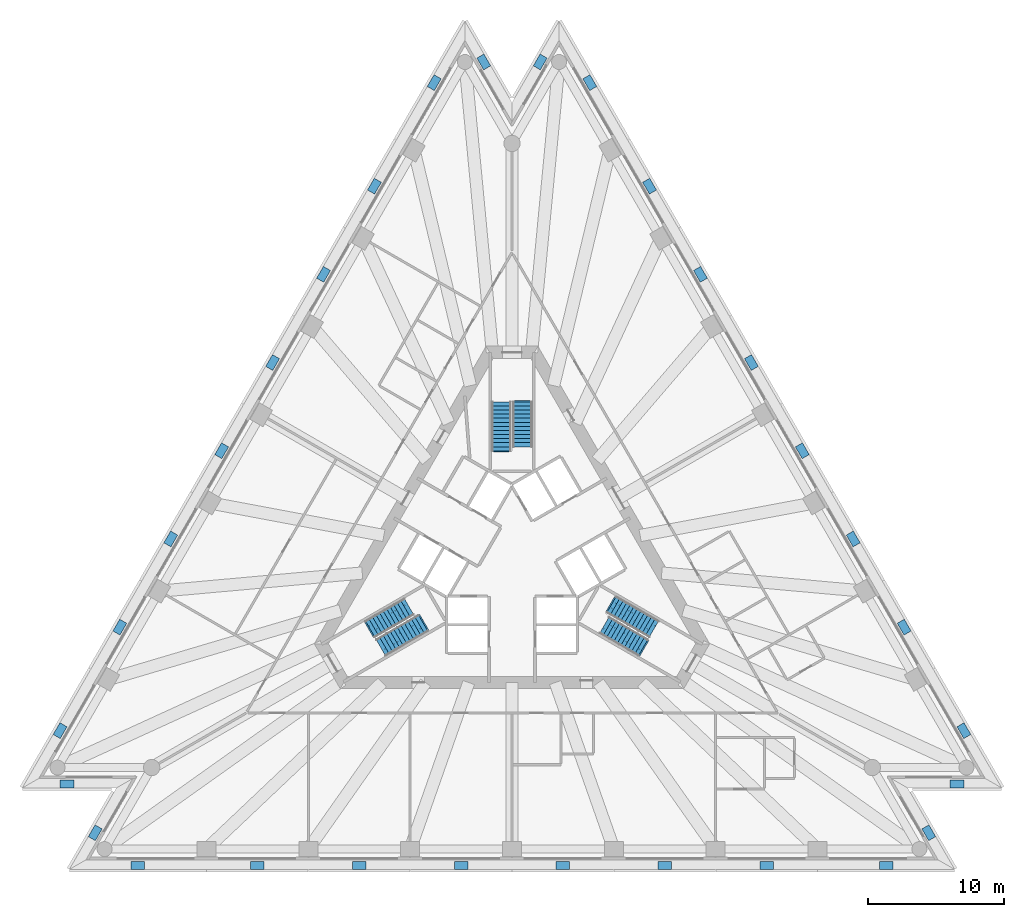
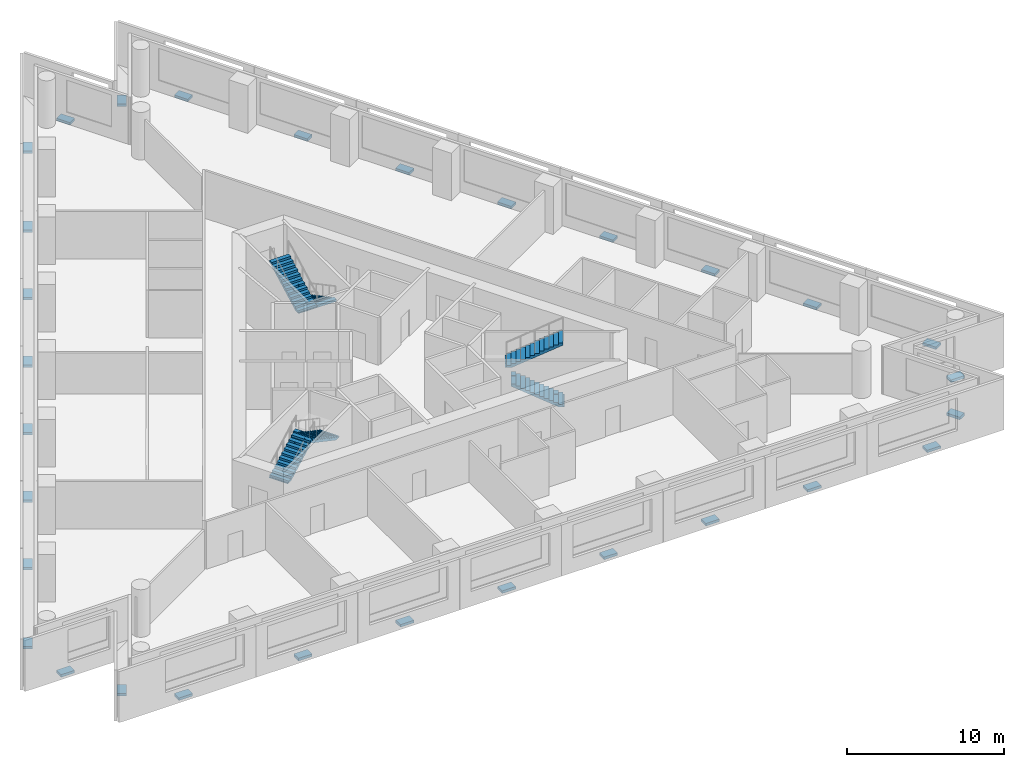
# One storey, part 7 of 9: 30 discrete accessories, 6 stair flights, 3 elements without a shape of their own.
"""IFC4 building model written with IfcOpenShell, lengths in metres."""

from ifc_helpers import new_model, si_unit, direction, frame, origin, origin_2d, place, context, subcontext, project, spatial, polyline, rectangle, outline, extrude, material, type_object, element, aggregate, save


model = new_model("IFC4")

# Units and contexts
model_context = context("Model", 3, precision=1e-05, world=origin(), true_north=direction((0.0, 1.0)))
body_context = subcontext(model_context, "Body", "Model", "MODEL_VIEW")
ifc_project = project(units=[si_unit("LENGTHUNIT", "METRE"), si_unit("AREAUNIT", "SQUARE_METRE"), si_unit("VOLUMEUNIT", "CUBIC_METRE"), si_unit("PLANEANGLEUNIT", "RADIAN"), si_unit("MASSUNIT", "GRAM", prefix="KILO")], contexts=[model_context])

# Site, building, storey
site_placement = place(None, origin())
site = spatial("IfcSite", under=ifc_project, at=site_placement, CompositionType="ELEMENT")
building_placement = place(site_placement, origin())
building = spatial("IfcBuilding", under=site, at=building_placement, Name="Triada Interchange Tower", CompositionType="ELEMENT")
storey_placement = place(building_placement, frame((0.0, 0.0, 55.300048828125)))
storey = spatial("IfcBuildingStorey", under=building, at=storey_placement, Name="L11", CompositionType="ELEMENT", Elevation=55.300048828125)

# Stair, stair flights
ifc_material_1 = material(Name="Concrete C35/45", Category="concrete")
stair_type = type_object("IfcStairType", Name="HALF TURN STAIR 1400", PredefinedType="HALF_TURN_STAIR", material=ifc_material_1)
stair_1_placement = place(storey_placement, origin())
stair_1 = element("IfcStair", 1, at=stair_1_placement, inside=storey, type_object=stair_type, Name="Exit stair S09-1", PredefinedType="HALF_TURN_STAIR")
stair_flight_type = type_object("IfcStairFlightType", Name="STRAIGHT STAIR FLIGHT 1400", PredefinedType="STRAIGHT", material=ifc_material_1)
stair_flight_1_placement = place(storey_placement, frame((0.800048828125, 11.60009765625, 0.0), z_axis=(0.0, 0.0, 1.0), x_axis=(0.0, -1.0, 0.0)))
stair_flight_1 = element("IfcStairFlight", 2, at=stair_flight_1_placement, type_object=stair_flight_type, Name="S09-1 flight 1", NumberOfRisers=12, NumberOfTreads=11, PredefinedType="STRAIGHT", RiserHeight=0.16, TreadLength=0.3, context=body_context, shape_type="SweptSolid", body=[
    extrude(outline(polyline([(-0.10009765625, 0.0), (-0.10009765625, 0.02001953125), (0.0, 0.02001953125), (0.0, 0.159912109375), (0.300048828125, 0.159912109375), (0.300048828125, 0.320068359375), (0.60009765625, 0.320068359375), (0.60009765625, 0.47998046875), (0.89990234375, 0.47998046875), (0.89990234375, 0.639892578125), (1.199951171875, 0.639892578125), (1.199951171875, 0.800048828125), (1.5, 0.800048828125), (1.5, 0.9599609375), (1.800048828125, 0.9599609375), (1.800048828125, 1.1201171875), (2.10009765625, 1.1201171875), (2.10009765625, 1.280029296875), (2.39990234375, 1.280029296875), (2.39990234375, 1.43994140625), (2.699951171875, 1.43994140625), (2.699951171875, 1.60009765625), (3.0, 1.60009765625), (3.0, 1.760009765625), (3.300048828125, 1.760009765625), (3.303955078125, 1.760009765625), (3.303955078125, 1.919921875), (3.303955078125, 1.590087890625), (0.318603515625, 0.0), (-0.10009765625, 0.0)])), frame((0.0, 0.699951171875, 0.0), z_axis=(0.0, -1.0, 0.0), x_axis=(1.0, 0.0, 0.0)), (0.0, 0.0, 1.0), 0.46533203125),
    extrude(outline(polyline([(-0.10009765625, 0.0), (-0.10009765625, 0.02001953125), (0.0, 0.02001953125), (0.0, 0.159912109375), (0.300048828125, 0.159912109375), (0.300048828125, 0.320068359375), (0.60009765625, 0.320068359375), (0.60009765625, 0.47998046875), (0.89990234375, 0.47998046875), (0.89990234375, 0.639892578125), (1.199951171875, 0.639892578125), (1.199951171875, 0.800048828125), (1.5, 0.800048828125), (1.5, 0.9599609375), (1.800048828125, 0.9599609375), (1.800048828125, 1.1201171875), (2.10009765625, 1.1201171875), (2.10009765625, 1.280029296875), (2.39990234375, 1.280029296875), (2.39990234375, 1.43994140625), (2.699951171875, 1.43994140625), (2.699951171875, 1.60009765625), (3.0, 1.60009765625), (3.0, 1.760009765625), (3.300048828125, 1.760009765625), (3.303955078125, 1.760009765625), (3.303955078125, 1.919921875), (3.303955078125, 1.590087890625), (0.318603515625, 0.0), (-0.10009765625, 0.0)])), frame((0.0, 0.232666015625, 0.0), z_axis=(0.0, -1.0, 0.0), x_axis=(1.0, 0.0, 0.0)), (0.0, 0.0, 1.0), 0.46533203125),
    extrude(outline(polyline([(-0.10009765625, 0.0), (-0.10009765625, 0.02001953125), (0.0, 0.02001953125), (0.0, 0.159912109375), (0.300048828125, 0.159912109375), (0.300048828125, 0.320068359375), (0.60009765625, 0.320068359375), (0.60009765625, 0.47998046875), (0.89990234375, 0.47998046875), (0.89990234375, 0.639892578125), (1.199951171875, 0.639892578125), (1.199951171875, 0.800048828125), (1.5, 0.800048828125), (1.5, 0.9599609375), (1.800048828125, 0.9599609375), (1.800048828125, 1.1201171875), (2.10009765625, 1.1201171875), (2.10009765625, 1.280029296875), (2.39990234375, 1.280029296875), (2.39990234375, 1.43994140625), (2.699951171875, 1.43994140625), (2.699951171875, 1.60009765625), (3.0, 1.60009765625), (3.0, 1.760009765625), (3.300048828125, 1.760009765625), (3.303955078125, 1.760009765625), (3.303955078125, 1.919921875), (3.303955078125, 1.590087890625), (0.318603515625, 0.0), (-0.10009765625, 0.0)])), frame((0.0, -0.234619140625, 0.0), z_axis=(0.0, -1.0, 0.0), x_axis=(1.0, 0.0, 0.0)), (0.0, 0.0, 1.0), 0.46533203125),
])
stair_flight_2_placement = place(storey_placement, frame((-0.800048828125, 8.0, 1.919921875), z_axis=(0.0, 0.0, 1.0), x_axis=(0.0, 1.0, 0.0)))
stair_flight_2 = element("IfcStairFlight", 3, at=stair_flight_2_placement, type_object=stair_flight_type, Name="S09-1 flight 2", NumberOfRisers=13, NumberOfTreads=12, PredefinedType="STRAIGHT", RiserHeight=0.16, TreadLength=0.3, context=body_context, shape_type="SweptSolid", body=[
    extrude(outline(polyline([(-0.10009765625, 0.0), (-0.10009765625, 0.02001953125), (0.0, 0.02001953125), (0.0, 0.159912109375), (0.300048828125, 0.159912109375), (0.300048828125, 0.320068359375), (0.60009765625, 0.320068359375), (0.60009765625, 0.47998046875), (0.89990234375, 0.47998046875), (0.89990234375, 0.639892578125), (1.199951171875, 0.639892578125), (1.199951171875, 0.800048828125), (1.5, 0.800048828125), (1.5, 0.9599609375), (1.800048828125, 0.9599609375), (1.800048828125, 1.1201171875), (2.10009765625, 1.1201171875), (2.10009765625, 1.280029296875), (2.39990234375, 1.280029296875), (2.39990234375, 1.43994140625), (2.699951171875, 1.43994140625), (2.699951171875, 1.60009765625), (3.0, 1.60009765625), (3.0, 1.760009765625), (3.300048828125, 1.760009765625), (3.300048828125, 1.919921875), (3.60009765625, 1.919921875), (3.60400390625, 1.919921875), (3.60400390625, 2.080078125), (3.60400390625, 1.75), (0.318603515625, 0.0), (-0.10009765625, 0.0)])), frame((0.0, 0.699951171875, 0.0), z_axis=(0.0, -1.0, 0.0), x_axis=(1.0, 0.0, 0.0)), (0.0, 0.0, 1.0), 0.46533203125),
    extrude(outline(polyline([(-0.10009765625, 0.0), (-0.10009765625, 0.02001953125), (0.0, 0.02001953125), (0.0, 0.159912109375), (0.300048828125, 0.159912109375), (0.300048828125, 0.320068359375), (0.60009765625, 0.320068359375), (0.60009765625, 0.47998046875), (0.89990234375, 0.47998046875), (0.89990234375, 0.639892578125), (1.199951171875, 0.639892578125), (1.199951171875, 0.800048828125), (1.5, 0.800048828125), (1.5, 0.9599609375), (1.800048828125, 0.9599609375), (1.800048828125, 1.1201171875), (2.10009765625, 1.1201171875), (2.10009765625, 1.280029296875), (2.39990234375, 1.280029296875), (2.39990234375, 1.43994140625), (2.699951171875, 1.43994140625), (2.699951171875, 1.60009765625), (3.0, 1.60009765625), (3.0, 1.760009765625), (3.300048828125, 1.760009765625), (3.300048828125, 1.919921875), (3.60009765625, 1.919921875), (3.60400390625, 1.919921875), (3.60400390625, 2.080078125), (3.60400390625, 1.75), (0.318603515625, 0.0), (-0.10009765625, 0.0)])), frame((0.0, 0.232666015625, 0.0), z_axis=(0.0, -1.0, 0.0), x_axis=(1.0, 0.0, 0.0)), (0.0, 0.0, 1.0), 0.46533203125),
    extrude(outline(polyline([(-0.10009765625, 0.0), (-0.10009765625, 0.02001953125), (0.0, 0.02001953125), (0.0, 0.159912109375), (0.300048828125, 0.159912109375), (0.300048828125, 0.320068359375), (0.60009765625, 0.320068359375), (0.60009765625, 0.47998046875), (0.89990234375, 0.47998046875), (0.89990234375, 0.639892578125), (1.199951171875, 0.639892578125), (1.199951171875, 0.800048828125), (1.5, 0.800048828125), (1.5, 0.9599609375), (1.800048828125, 0.9599609375), (1.800048828125, 1.1201171875), (2.10009765625, 1.1201171875), (2.10009765625, 1.280029296875), (2.39990234375, 1.280029296875), (2.39990234375, 1.43994140625), (2.699951171875, 1.43994140625), (2.699951171875, 1.60009765625), (3.0, 1.60009765625), (3.0, 1.760009765625), (3.300048828125, 1.760009765625), (3.300048828125, 1.919921875), (3.60009765625, 1.919921875), (3.60400390625, 1.919921875), (3.60400390625, 2.080078125), (3.60400390625, 1.75), (0.318603515625, 0.0), (-0.10009765625, 0.0)])), frame((0.0, -0.234619140625, 0.0), z_axis=(0.0, -1.0, 0.0), x_axis=(1.0, 0.0, 0.0)), (0.0, 0.0, 1.0), 0.46533203125),
])
aggregate(stair_1, [stair_flight_1, stair_flight_2])

stair_2_placement = place(storey_placement, origin())
stair_2 = element("IfcStair", 4, at=stair_2_placement, inside=storey, type_object=stair_type, Name="Exit stair S09-2", PredefinedType="HALF_TURN_STAIR")
stair_flight_3_placement = place(storey_placement, frame((-10.446044921875, -5.10693359375, 0.0), z_axis=(0.0, 0.0, 1.0), x_axis=(0.866025403784, 0.5, 0.0)))
stair_flight_3 = element("IfcStairFlight", 5, at=stair_flight_3_placement, type_object=stair_flight_type, Name="S09-2 flight 1", NumberOfRisers=12, NumberOfTreads=11, PredefinedType="STRAIGHT", RiserHeight=0.16, TreadLength=0.3, context=body_context, shape_type="SweptSolid", body=[
    extrude(outline(polyline([(-0.10009765625, 0.0), (-0.10009765625, 0.02001953125), (0.0, 0.02001953125), (0.0, 0.159912109375), (0.300048828125, 0.159912109375), (0.300048828125, 0.320068359375), (0.60009765625, 0.320068359375), (0.60009765625, 0.47998046875), (0.89990234375, 0.47998046875), (0.89990234375, 0.639892578125), (1.199951171875, 0.639892578125), (1.199951171875, 0.800048828125), (1.5, 0.800048828125), (1.5, 0.9599609375), (1.800048828125, 0.9599609375), (1.800048828125, 1.1201171875), (2.10009765625, 1.1201171875), (2.10009765625, 1.280029296875), (2.39990234375, 1.280029296875), (2.39990234375, 1.43994140625), (2.699951171875, 1.43994140625), (2.699951171875, 1.60009765625), (3.0, 1.60009765625), (3.0, 1.760009765625), (3.300048828125, 1.760009765625), (3.303955078125, 1.760009765625), (3.303955078125, 1.919921875), (3.303955078125, 1.590087890625), (0.318603515625, 0.0), (-0.10009765625, 0.0)])), frame((0.0, 0.699951171875, 0.0), z_axis=(0.0, -1.0, 0.0), x_axis=(1.0, 0.0, 0.0)), (0.0, 0.0, 1.0), 0.46533203125),
    extrude(outline(polyline([(-0.10009765625, 0.0), (-0.10009765625, 0.02001953125), (0.0, 0.02001953125), (0.0, 0.159912109375), (0.300048828125, 0.159912109375), (0.300048828125, 0.320068359375), (0.60009765625, 0.320068359375), (0.60009765625, 0.47998046875), (0.89990234375, 0.47998046875), (0.89990234375, 0.639892578125), (1.199951171875, 0.639892578125), (1.199951171875, 0.800048828125), (1.5, 0.800048828125), (1.5, 0.9599609375), (1.800048828125, 0.9599609375), (1.800048828125, 1.1201171875), (2.10009765625, 1.1201171875), (2.10009765625, 1.280029296875), (2.39990234375, 1.280029296875), (2.39990234375, 1.43994140625), (2.699951171875, 1.43994140625), (2.699951171875, 1.60009765625), (3.0, 1.60009765625), (3.0, 1.760009765625), (3.300048828125, 1.760009765625), (3.303955078125, 1.760009765625), (3.303955078125, 1.919921875), (3.303955078125, 1.590087890625), (0.318603515625, 0.0), (-0.10009765625, 0.0)])), frame((0.0, 0.232666015625, 0.0), z_axis=(0.0, -1.0, 0.0), x_axis=(1.0, 0.0, 0.0)), (0.0, 0.0, 1.0), 0.46533203125),
    extrude(outline(polyline([(-0.10009765625, 0.0), (-0.10009765625, 0.02001953125), (0.0, 0.02001953125), (0.0, 0.159912109375), (0.300048828125, 0.159912109375), (0.300048828125, 0.320068359375), (0.60009765625, 0.320068359375), (0.60009765625, 0.47998046875), (0.89990234375, 0.47998046875), (0.89990234375, 0.639892578125), (1.199951171875, 0.639892578125), (1.199951171875, 0.800048828125), (1.5, 0.800048828125), (1.5, 0.9599609375), (1.800048828125, 0.9599609375), (1.800048828125, 1.1201171875), (2.10009765625, 1.1201171875), (2.10009765625, 1.280029296875), (2.39990234375, 1.280029296875), (2.39990234375, 1.43994140625), (2.699951171875, 1.43994140625), (2.699951171875, 1.60009765625), (3.0, 1.60009765625), (3.0, 1.760009765625), (3.300048828125, 1.760009765625), (3.303955078125, 1.760009765625), (3.303955078125, 1.919921875), (3.303955078125, 1.590087890625), (0.318603515625, 0.0), (-0.10009765625, 0.0)])), frame((0.0, -0.234619140625, 0.0), z_axis=(0.0, -1.0, 0.0), x_axis=(1.0, 0.0, 0.0)), (0.0, 0.0, 1.0), 0.46533203125),
])
stair_flight_4_placement = place(storey_placement, frame((-6.528076171875, -4.693115234375, 1.919921875), z_axis=(0.0, 0.0, 1.0), x_axis=(-0.866025403784, -0.5, 0.0)))
stair_flight_4 = element("IfcStairFlight", 6, at=stair_flight_4_placement, type_object=stair_flight_type, Name="S09-2 flight 2", NumberOfRisers=13, NumberOfTreads=12, PredefinedType="STRAIGHT", RiserHeight=0.16, TreadLength=0.3, context=body_context, shape_type="SweptSolid", body=[
    extrude(outline(polyline([(-0.10009765625, 0.0), (-0.10009765625, 0.02001953125), (0.0, 0.02001953125), (0.0, 0.159912109375), (0.300048828125, 0.159912109375), (0.300048828125, 0.320068359375), (0.60009765625, 0.320068359375), (0.60009765625, 0.47998046875), (0.89990234375, 0.47998046875), (0.89990234375, 0.639892578125), (1.199951171875, 0.639892578125), (1.199951171875, 0.800048828125), (1.5, 0.800048828125), (1.5, 0.9599609375), (1.800048828125, 0.9599609375), (1.800048828125, 1.1201171875), (2.10009765625, 1.1201171875), (2.10009765625, 1.280029296875), (2.39990234375, 1.280029296875), (2.39990234375, 1.43994140625), (2.699951171875, 1.43994140625), (2.699951171875, 1.60009765625), (3.0, 1.60009765625), (3.0, 1.760009765625), (3.300048828125, 1.760009765625), (3.300048828125, 1.919921875), (3.60009765625, 1.919921875), (3.60400390625, 1.919921875), (3.60400390625, 2.080078125), (3.60400390625, 1.75), (0.318603515625, 0.0), (-0.10009765625, 0.0)])), frame((0.0, 0.699951171875, 0.0), z_axis=(0.0, -1.0, 0.0), x_axis=(1.0, 0.0, 0.0)), (0.0, 0.0, 1.0), 0.46533203125),
    extrude(outline(polyline([(-0.10009765625, 0.0), (-0.10009765625, 0.02001953125), (0.0, 0.02001953125), (0.0, 0.159912109375), (0.300048828125, 0.159912109375), (0.300048828125, 0.320068359375), (0.60009765625, 0.320068359375), (0.60009765625, 0.47998046875), (0.89990234375, 0.47998046875), (0.89990234375, 0.639892578125), (1.199951171875, 0.639892578125), (1.199951171875, 0.800048828125), (1.5, 0.800048828125), (1.5, 0.9599609375), (1.800048828125, 0.9599609375), (1.800048828125, 1.1201171875), (2.10009765625, 1.1201171875), (2.10009765625, 1.280029296875), (2.39990234375, 1.280029296875), (2.39990234375, 1.43994140625), (2.699951171875, 1.43994140625), (2.699951171875, 1.60009765625), (3.0, 1.60009765625), (3.0, 1.760009765625), (3.300048828125, 1.760009765625), (3.300048828125, 1.919921875), (3.60009765625, 1.919921875), (3.60400390625, 1.919921875), (3.60400390625, 2.080078125), (3.60400390625, 1.75), (0.318603515625, 0.0), (-0.10009765625, 0.0)])), frame((0.0, 0.232666015625, 0.0), z_axis=(0.0, -1.0, 0.0), x_axis=(1.0, 0.0, 0.0)), (0.0, 0.0, 1.0), 0.46533203125),
    extrude(outline(polyline([(-0.10009765625, 0.0), (-0.10009765625, 0.02001953125), (0.0, 0.02001953125), (0.0, 0.159912109375), (0.300048828125, 0.159912109375), (0.300048828125, 0.320068359375), (0.60009765625, 0.320068359375), (0.60009765625, 0.47998046875), (0.89990234375, 0.47998046875), (0.89990234375, 0.639892578125), (1.199951171875, 0.639892578125), (1.199951171875, 0.800048828125), (1.5, 0.800048828125), (1.5, 0.9599609375), (1.800048828125, 0.9599609375), (1.800048828125, 1.1201171875), (2.10009765625, 1.1201171875), (2.10009765625, 1.280029296875), (2.39990234375, 1.280029296875), (2.39990234375, 1.43994140625), (2.699951171875, 1.43994140625), (2.699951171875, 1.60009765625), (3.0, 1.60009765625), (3.0, 1.760009765625), (3.300048828125, 1.760009765625), (3.300048828125, 1.919921875), (3.60009765625, 1.919921875), (3.60400390625, 1.919921875), (3.60400390625, 2.080078125), (3.60400390625, 1.75), (0.318603515625, 0.0), (-0.10009765625, 0.0)])), frame((0.0, -0.234619140625, 0.0), z_axis=(0.0, -1.0, 0.0), x_axis=(1.0, 0.0, 0.0)), (0.0, 0.0, 1.0), 0.46533203125),
])
aggregate(stair_2, [stair_flight_3, stair_flight_4])

stair_3_placement = place(storey_placement, origin())
stair_3 = element("IfcStair", 7, at=stair_3_placement, inside=storey, type_object=stair_type, Name="Exit stair S09-3", PredefinedType="HALF_TURN_STAIR")
stair_flight_5_placement = place(storey_placement, frame((9.64599609375, -6.492919921875, 0.0), z_axis=(0.0, 0.0, 1.0), x_axis=(-0.866025403784, 0.5, 0.0)))
stair_flight_5 = element("IfcStairFlight", 8, at=stair_flight_5_placement, type_object=stair_flight_type, Name="S09-3 flight 1", NumberOfRisers=12, NumberOfTreads=11, PredefinedType="STRAIGHT", RiserHeight=0.16, TreadLength=0.3, context=body_context, shape_type="SweptSolid", body=[
    extrude(outline(polyline([(-0.10009765625, 0.0), (-0.10009765625, 0.02001953125), (0.0, 0.02001953125), (0.0, 0.159912109375), (0.300048828125, 0.159912109375), (0.300048828125, 0.320068359375), (0.60009765625, 0.320068359375), (0.60009765625, 0.47998046875), (0.89990234375, 0.47998046875), (0.89990234375, 0.639892578125), (1.199951171875, 0.639892578125), (1.199951171875, 0.800048828125), (1.5, 0.800048828125), (1.5, 0.9599609375), (1.800048828125, 0.9599609375), (1.800048828125, 1.1201171875), (2.10009765625, 1.1201171875), (2.10009765625, 1.280029296875), (2.39990234375, 1.280029296875), (2.39990234375, 1.43994140625), (2.699951171875, 1.43994140625), (2.699951171875, 1.60009765625), (3.0, 1.60009765625), (3.0, 1.760009765625), (3.300048828125, 1.760009765625), (3.303955078125, 1.760009765625), (3.303955078125, 1.919921875), (3.303955078125, 1.590087890625), (0.318603515625, 0.0), (-0.10009765625, 0.0)])), frame((0.0, 0.699951171875, 0.0), z_axis=(0.0, -1.0, 0.0), x_axis=(1.0, 0.0, 0.0)), (0.0, 0.0, 1.0), 0.46533203125),
    extrude(outline(polyline([(-0.10009765625, 0.0), (-0.10009765625, 0.02001953125), (0.0, 0.02001953125), (0.0, 0.159912109375), (0.300048828125, 0.159912109375), (0.300048828125, 0.320068359375), (0.60009765625, 0.320068359375), (0.60009765625, 0.47998046875), (0.89990234375, 0.47998046875), (0.89990234375, 0.639892578125), (1.199951171875, 0.639892578125), (1.199951171875, 0.800048828125), (1.5, 0.800048828125), (1.5, 0.9599609375), (1.800048828125, 0.9599609375), (1.800048828125, 1.1201171875), (2.10009765625, 1.1201171875), (2.10009765625, 1.280029296875), (2.39990234375, 1.280029296875), (2.39990234375, 1.43994140625), (2.699951171875, 1.43994140625), (2.699951171875, 1.60009765625), (3.0, 1.60009765625), (3.0, 1.760009765625), (3.300048828125, 1.760009765625), (3.303955078125, 1.760009765625), (3.303955078125, 1.919921875), (3.303955078125, 1.590087890625), (0.318603515625, 0.0), (-0.10009765625, 0.0)])), frame((0.0, 0.232666015625, 0.0), z_axis=(0.0, -1.0, 0.0), x_axis=(1.0, 0.0, 0.0)), (0.0, 0.0, 1.0), 0.46533203125),
    extrude(outline(polyline([(-0.10009765625, 0.0), (-0.10009765625, 0.02001953125), (0.0, 0.02001953125), (0.0, 0.159912109375), (0.300048828125, 0.159912109375), (0.300048828125, 0.320068359375), (0.60009765625, 0.320068359375), (0.60009765625, 0.47998046875), (0.89990234375, 0.47998046875), (0.89990234375, 0.639892578125), (1.199951171875, 0.639892578125), (1.199951171875, 0.800048828125), (1.5, 0.800048828125), (1.5, 0.9599609375), (1.800048828125, 0.9599609375), (1.800048828125, 1.1201171875), (2.10009765625, 1.1201171875), (2.10009765625, 1.280029296875), (2.39990234375, 1.280029296875), (2.39990234375, 1.43994140625), (2.699951171875, 1.43994140625), (2.699951171875, 1.60009765625), (3.0, 1.60009765625), (3.0, 1.760009765625), (3.300048828125, 1.760009765625), (3.303955078125, 1.760009765625), (3.303955078125, 1.919921875), (3.303955078125, 1.590087890625), (0.318603515625, 0.0), (-0.10009765625, 0.0)])), frame((0.0, -0.234619140625, 0.0), z_axis=(0.0, -1.0, 0.0), x_axis=(1.0, 0.0, 0.0)), (0.0, 0.0, 1.0), 0.46533203125),
])
stair_flight_6_placement = place(storey_placement, frame((7.327880859375, -3.306884765625, 1.919921875), z_axis=(0.0, 0.0, 1.0), x_axis=(0.866025403784, -0.5, 0.0)))
stair_flight_6 = element("IfcStairFlight", 9, at=stair_flight_6_placement, type_object=stair_flight_type, Name="S09-3 flight 2", NumberOfRisers=13, NumberOfTreads=12, PredefinedType="STRAIGHT", RiserHeight=0.16, TreadLength=0.3, context=body_context, shape_type="SweptSolid", body=[
    extrude(outline(polyline([(-0.10009765625, 0.0), (-0.10009765625, 0.02001953125), (0.0, 0.02001953125), (0.0, 0.159912109375), (0.300048828125, 0.159912109375), (0.300048828125, 0.320068359375), (0.60009765625, 0.320068359375), (0.60009765625, 0.47998046875), (0.89990234375, 0.47998046875), (0.89990234375, 0.639892578125), (1.199951171875, 0.639892578125), (1.199951171875, 0.800048828125), (1.5, 0.800048828125), (1.5, 0.9599609375), (1.800048828125, 0.9599609375), (1.800048828125, 1.1201171875), (2.10009765625, 1.1201171875), (2.10009765625, 1.280029296875), (2.39990234375, 1.280029296875), (2.39990234375, 1.43994140625), (2.699951171875, 1.43994140625), (2.699951171875, 1.60009765625), (3.0, 1.60009765625), (3.0, 1.760009765625), (3.300048828125, 1.760009765625), (3.300048828125, 1.919921875), (3.60009765625, 1.919921875), (3.60400390625, 1.919921875), (3.60400390625, 2.080078125), (3.60400390625, 1.75), (0.318603515625, 0.0), (-0.10009765625, 0.0)])), frame((0.0, 0.699951171875, 0.0), z_axis=(0.0, -1.0, 0.0), x_axis=(1.0, 0.0, 0.0)), (0.0, 0.0, 1.0), 0.46533203125),
    extrude(outline(polyline([(-0.10009765625, 0.0), (-0.10009765625, 0.02001953125), (0.0, 0.02001953125), (0.0, 0.159912109375), (0.300048828125, 0.159912109375), (0.300048828125, 0.320068359375), (0.60009765625, 0.320068359375), (0.60009765625, 0.47998046875), (0.89990234375, 0.47998046875), (0.89990234375, 0.639892578125), (1.199951171875, 0.639892578125), (1.199951171875, 0.800048828125), (1.5, 0.800048828125), (1.5, 0.9599609375), (1.800048828125, 0.9599609375), (1.800048828125, 1.1201171875), (2.10009765625, 1.1201171875), (2.10009765625, 1.280029296875), (2.39990234375, 1.280029296875), (2.39990234375, 1.43994140625), (2.699951171875, 1.43994140625), (2.699951171875, 1.60009765625), (3.0, 1.60009765625), (3.0, 1.760009765625), (3.300048828125, 1.760009765625), (3.300048828125, 1.919921875), (3.60009765625, 1.919921875), (3.60400390625, 1.919921875), (3.60400390625, 2.080078125), (3.60400390625, 1.75), (0.318603515625, 0.0), (-0.10009765625, 0.0)])), frame((0.0, 0.232666015625, 0.0), z_axis=(0.0, -1.0, 0.0), x_axis=(1.0, 0.0, 0.0)), (0.0, 0.0, 1.0), 0.46533203125),
    extrude(outline(polyline([(-0.10009765625, 0.0), (-0.10009765625, 0.02001953125), (0.0, 0.02001953125), (0.0, 0.159912109375), (0.300048828125, 0.159912109375), (0.300048828125, 0.320068359375), (0.60009765625, 0.320068359375), (0.60009765625, 0.47998046875), (0.89990234375, 0.47998046875), (0.89990234375, 0.639892578125), (1.199951171875, 0.639892578125), (1.199951171875, 0.800048828125), (1.5, 0.800048828125), (1.5, 0.9599609375), (1.800048828125, 0.9599609375), (1.800048828125, 1.1201171875), (2.10009765625, 1.1201171875), (2.10009765625, 1.280029296875), (2.39990234375, 1.280029296875), (2.39990234375, 1.43994140625), (2.699951171875, 1.43994140625), (2.699951171875, 1.60009765625), (3.0, 1.60009765625), (3.0, 1.760009765625), (3.300048828125, 1.760009765625), (3.300048828125, 1.919921875), (3.60009765625, 1.919921875), (3.60400390625, 1.919921875), (3.60400390625, 2.080078125), (3.60400390625, 1.75), (0.318603515625, 0.0), (-0.10009765625, 0.0)])), frame((0.0, -0.234619140625, 0.0), z_axis=(0.0, -1.0, 0.0), x_axis=(1.0, 0.0, 0.0)), (0.0, 0.0, 1.0), 0.46533203125),
])
aggregate(stair_3, [stair_flight_5, stair_flight_6])

# Discrete accessories
ifc_material_2 = material(Name="Steel S355", Category="steel")
discrete_accessory_type = type_object("IfcDiscreteAccessoryType", Name="Steel bracket outer skin", PredefinedType="BRACKET", material=ifc_material_2)
for number, where, z_axis, x_axis, name in (
    (10, (-5.72607421875, 35.096923828125, -0.27001953125), (0.0, 0.0, 1.0), (-0.866025866296, 0.499999198905, 0.0), "Bracket L11 01"),
    (11, (-10.123046875, 27.48095703125, -0.27001953125), (0.0, 0.0, 1.0), (-0.866025866296, 0.499999198905, 0.0), "Bracket L11 02"),
    (12, (-13.8701171875, 20.989990234375, -0.27001953125), (0.0, 0.0, 1.0), (-0.866025866296, 0.499999198905, 0.0), "Bracket L11 03"),
    (13, (-17.617919921875, 14.4990234375, -0.27001953125), (0.0, 0.0, 1.0), (-0.866025866296, 0.499999198905, 0.0), "Bracket L11 04"),
    (14, (-21.365966796875, 8.008056640625, -0.27001953125), (0.0, 0.0, 1.0), (-0.866025866296, 0.499999198905, 0.0), "Bracket L11 05"),
    (15, (-25.113037109375, 1.51708984375, -0.27001953125), (0.0, 0.0, 1.0), (-0.866025866296, 0.499999198905, 0.0), "Bracket L11 06"),
    (16, (-28.861083984375, -4.97412109375, -0.27001953125), (0.0, 0.0, 1.0), (-0.866025866296, 0.499999198905, 0.0), "Bracket L11 07"),
    (17, (-33.258056640625, -12.590087890625, -0.27001953125), (0.0, 0.0, 1.0), (-0.866025866296, 0.499999198905, 0.0), "Bracket L11 08"),
    (18, (-32.751953125, -16.510986328125, -0.27001953125), (0.0, 0.0, 1.0), (0.0, -1.0, 0.0), "Bracket L11 09"),
    (19, (-30.675048828125, -20.10888671875, -0.27001953125), (0.0, 0.0, 1.0), (-0.866012409516, 0.500022506058, 0.0), "Bracket L11 10"),
    (20, (-27.531982421875, -22.507080078125, -0.27001953125), (0.0, 0.0, 1.0), (0.0, -1.0, 0.0), "Bracket L11 11"),
    (21, (-18.738037109375, -22.507080078125, -0.27001953125), (0.0, 0.0, 1.0), (0.0, -1.0, 0.0), "Bracket L11 12"),
    (22, (-11.242919921875, -22.507080078125, -0.27001953125), (0.0, 0.0, 1.0), (0.0, -1.0, 0.0), "Bracket L11 13"),
    (23, (-3.748046875, -22.507080078125, -0.27001953125), (0.0, 0.0, 1.0), (0.0, -1.0, 0.0), "Bracket L11 14"),
    (24, (3.748046875, -22.507080078125, -0.27001953125), (0.0, 0.0, 1.0), (0.0, -1.0, 0.0), "Bracket L11 15"),
    (25, (11.242919921875, -22.507080078125, -0.27001953125), (0.0, 0.0, 1.0), (0.0, -1.0, 0.0), "Bracket L11 16"),
    (26, (18.738037109375, -22.507080078125, -0.27001953125), (0.0, 0.0, 1.0), (0.0, -1.0, 0.0), "Bracket L11 17"),
    (27, (27.531982421875, -22.507080078125, -0.27001953125), (0.0, 0.0, 1.0), (0.0, -1.0, 0.0), "Bracket L11 18"),
    (28, (30.675048828125, -20.10888671875, -0.27001953125), (0.0, 0.0, 1.0), (0.866012409516, 0.500022506058, 0.0), "Bracket L11 19"),
    (29, (32.751953125, -16.510986328125, -0.27001953125), (0.0, 0.0, 1.0), (0.0, -1.0, 0.0), "Bracket L11 20"),
    (30, (33.258056640625, -12.590087890625, -0.27001953125), (0.0, 0.0, 1.0), (0.866025866296, 0.499999198905, 0.0), "Bracket L11 21"),
    (31, (28.861083984375, -4.97412109375, -0.27001953125), (0.0, 0.0, 1.0), (0.866025866296, 0.499999198905, 0.0), "Bracket L11 22"),
    (32, (25.113037109375, 1.51708984375, -0.27001953125), (0.0, 0.0, 1.0), (0.866025866296, 0.499999198905, 0.0), "Bracket L11 23"),
    (33, (21.365966796875, 8.008056640625, -0.27001953125), (0.0, 0.0, 1.0), (0.866025866296, 0.499999198905, 0.0), "Bracket L11 24"),
    (34, (17.617919921875, 14.4990234375, -0.27001953125), (0.0, 0.0, 1.0), (0.866025866296, 0.499999198905, 0.0), "Bracket L11 25"),
    (35, (13.8701171875, 20.989990234375, -0.27001953125), (0.0, 0.0, 1.0), (0.866025866296, 0.499999198905, 0.0), "Bracket L11 26"),
    (36, (10.123046875, 27.48095703125, -0.27001953125), (0.0, 0.0, 1.0), (0.866025866296, 0.499999198905, 0.0), "Bracket L11 27"),
    (37, (5.72607421875, 35.096923828125, -0.27001953125), (0.0, 0.0, 1.0), (0.866025866296, 0.499999198905, 0.0), "Bracket L11 28"),
    (38, (2.076904296875, 36.6201171875, -0.27001953125), (0.0, 0.0, 1.0), (-0.866012409516, 0.500022506058, 0.0), "Bracket L11 29"),
    (39, (-2.076904296875, 36.6201171875, -0.27001953125), (0.0, 0.0, 1.0), (0.866012409516, 0.500022506058, 0.0), "Bracket L11 30"),
):
    element("IfcDiscreteAccessory", number, at=place(storey_placement, frame(where, z_axis=z_axis, x_axis=x_axis)), inside=storey, type_object=discrete_accessory_type, Name=name, PredefinedType="BRACKET", context=body_context, shape_type="SweptSolid", body=[
        extrude(rectangle(XDim=0.60009765625, YDim=1.0, at=origin_2d()), origin(), (0.0, 0.0, 1.0), 0.199951171875),
    ])

save(model, "model.ifc")
